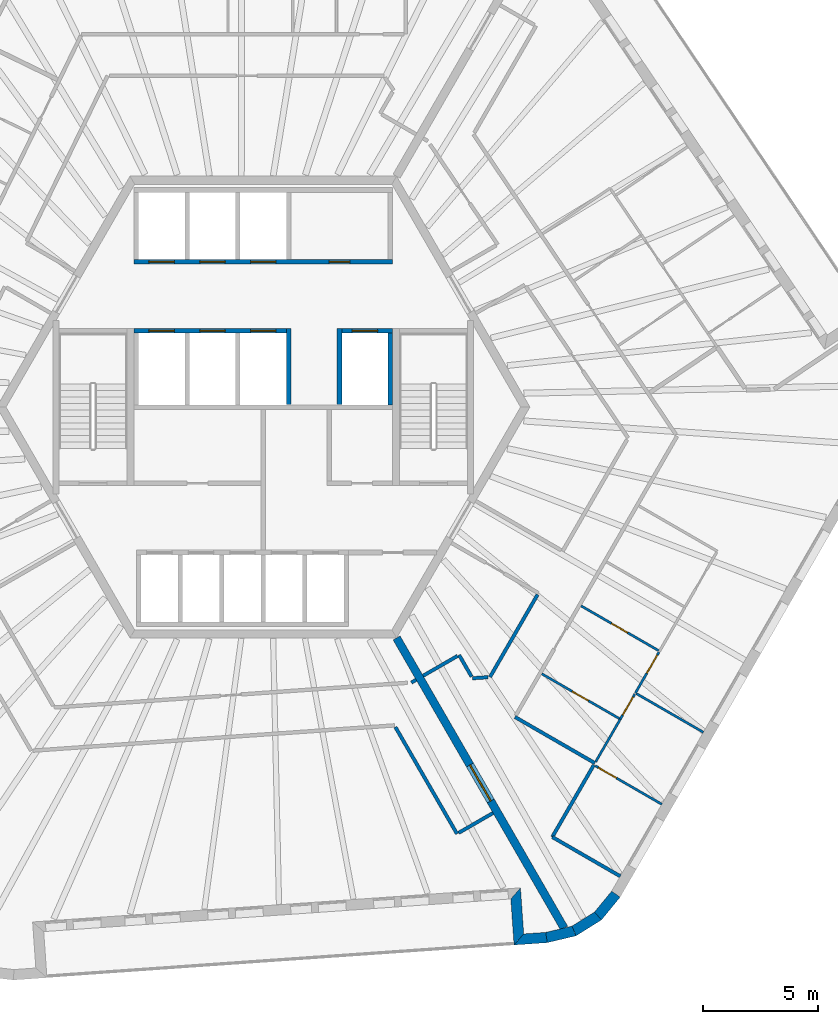
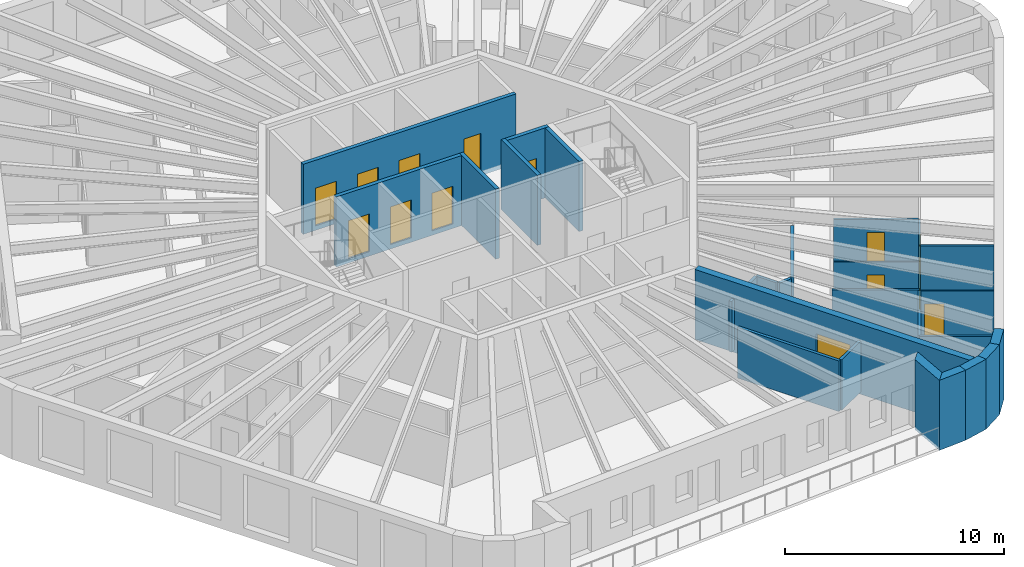
# One storey, part 5 of 11: 29 walls, 14 doors, 14 openings.
"""IFC4 building model written with IfcOpenShell, lengths in metres."""

from ifc_helpers import new_model, si_unit, direction, frame, frame_2d, origin, place, context, subcontext, project, spatial, polyline, rectangle, outline, extrude, material, layer, layer_set, type_object, element, fill, save


model = new_model("IFC4")

# Units and contexts
model_context = context("Model", 3, precision=1e-05, world=origin(), true_north=direction((0.0, 1.0)))
body_context = subcontext(model_context, "Body", "Model", "MODEL_VIEW")
ifc_project = project(units=[si_unit("LENGTHUNIT", "METRE"), si_unit("AREAUNIT", "SQUARE_METRE"), si_unit("VOLUMEUNIT", "CUBIC_METRE"), si_unit("PLANEANGLEUNIT", "RADIAN"), si_unit("MASSUNIT", "GRAM", prefix="KILO")], contexts=[model_context])

# Site, building, storey
site_placement = place(None, origin())
site = spatial("IfcSite", under=ifc_project, at=site_placement, CompositionType="ELEMENT")
building_placement = place(site_placement, origin())
building = spatial("IfcBuilding", under=site, at=building_placement, Name="Tarnside Tower", CompositionType="ELEMENT")
storey_placement = place(building_placement, frame((0.0, 0.0, 353.39990234375)))
storey = spatial("IfcBuildingStorey", under=building, at=storey_placement, Name="L85", CompositionType="ELEMENT", Elevation=353.39990234375)

# Wall, opening, door
ifc_material_1 = material(Name="Gypsum board partition on steel studs", Category="steel")
ifc_layer_1 = layer(ifc_material_1, 0.10009765625)
ifc_layer_set_1 = layer_set([ifc_layer_1], Name="Bathroom wall 100")
wall_type_1 = type_object("IfcWallType", Name="Bathroom wall 100", PredefinedType="PARTITIONING", material=ifc_layer_set_1)
wall_1_placement = place(storey_placement, frame((12.06396484375, -11.5546875, 0.0), z_axis=(0.0, 0.0, 1.0), x_axis=(0.866037464623, -0.499979109433, 0.0)))
wall_1 = element("IfcWall", 1, at=wall_1_placement, inside=storey, type_object=wall_type_1, Name="Bathroom wall 27113", PredefinedType="PARTITIONING", context=body_context, shape_type="SweptSolid", body=[
    extrude(rectangle(XDim=3.925048828125, YDim=0.10009765625, at=frame_2d((1.96240234375, 0.0))), origin(), (0.0, 0.0, 1.0), 2.820068359375),
])
opening_1_placement = place(wall_1_placement, frame((1.52490234375, 0.0, 0.0)))
opening_1 = element("IfcOpeningElement", 2, at=opening_1_placement, cuts=wall_1, Name="Opening D-B1", PredefinedType="OPENING", context=body_context, shape_type="SweptSolid", body=[
    extrude(rectangle(XDim=0.800048828125, YDim=2.10009765625, at=frame_2d((0.39990234375, 1.050048828125))), frame((0.0, 0.06005859375, 0.0), z_axis=(0.0, -1.0, 0.0), x_axis=(1.0, 0.0, 0.0)), (0.0, 0.0, 1.0), 0.1201171875),
])
ifc_material_2 = material(Name="Timber door leaf", Category="wood")
door_type_1 = type_object("IfcDoorType", Name="Bathroom door 800", OperationType="NOTDEFINED", PredefinedType="DOOR", material=ifc_material_2)
door_1_placement = place(opening_1_placement, origin())
door_1 = element("IfcDoor", 3, at=door_1_placement, inside=storey, type_object=door_type_1, Name="Bathroom door 27036", OperationType="SINGLE_SWING_RIGHT", OverallHeight=2.10009765625, OverallWidth=0.800048828125, PredefinedType="DOOR", context=body_context, shape_type="SweptSolid", body=[
    extrude(rectangle(XDim=0.800048828125, YDim=2.10009765625, at=frame_2d((0.39990234375, 1.050048828125))), frame((0.0, 0.02490234375, 0.0), z_axis=(0.0, -1.0, 0.0), x_axis=(1.0, 0.0, 0.0)), (0.0, 0.0, 1.0), 0.050048828125),
])
fill(opening_1, door_1)

wall_2_placement = place(storey_placement, frame((17.119873046875, -10.547607421875, 0.0), z_axis=(0.0, 0.0, 1.0), x_axis=(-0.866032409438, 0.499987865656, 0.0)))
wall_2 = element("IfcWall", 4, at=wall_2_placement, inside=storey, type_object=wall_type_1, Name="Bathroom wall 27115", PredefinedType="PARTITIONING", context=body_context, shape_type="SweptSolid", body=[
    extrude(rectangle(XDim=3.875, YDim=0.10009765625, at=frame_2d((1.9375, 0.0))), origin(), (0.0, 0.0, 1.0), 2.820068359375),
])
opening_2_placement = place(wall_2_placement, frame((1.550048828125, 0.0, 0.0)))
opening_2 = element("IfcOpeningElement", 5, at=opening_2_placement, cuts=wall_2, Name="Opening D-B1", PredefinedType="OPENING", context=body_context, shape_type="SweptSolid", body=[
    extrude(rectangle(XDim=0.800048828125, YDim=2.10009765625, at=frame_2d((0.39990234375, 1.050048828125))), frame((0.0, 0.06005859375, 0.0), z_axis=(0.0, -1.0, 0.0), x_axis=(1.0, 0.0, 0.0)), (0.0, 0.0, 1.0), 0.1201171875),
])
door_2_placement = place(opening_2_placement, origin())
door_2 = element("IfcDoor", 6, at=door_2_placement, inside=storey, type_object=door_type_1, Name="Bathroom door 27042", OperationType="SINGLE_SWING_LEFT", OverallHeight=2.10009765625, OverallWidth=0.800048828125, PredefinedType="DOOR", context=body_context, shape_type="SweptSolid", body=[
    extrude(rectangle(XDim=0.800048828125, YDim=2.10009765625, at=frame_2d((0.39990234375, 1.050048828125))), frame((0.0, 0.02490234375, 0.0), z_axis=(0.0, -1.0, 0.0), x_axis=(1.0, 0.0, 0.0)), (0.0, 0.0, 1.0), 0.050048828125),
])
fill(opening_2, door_2)

# Wall
wall_3_placement = place(storey_placement, frame((14.399658203125, -15.359130859375, 0.0), z_axis=(0.0, 0.0, 1.0), x_axis=(0.499987164874, 0.866032814021, 0.0)))
element("IfcWall", 7, at=wall_3_placement, inside=storey, type_object=wall_type_1, Name="Bathroom wall 27116", PredefinedType="PARTITIONING", context=body_context, shape_type="SweptSolid", body=[
    extrude(rectangle(XDim=2.12890625, YDim=0.10009765625, at=frame_2d((1.064453125, 0.0))), origin(), (0.0, 0.0, 1.0), 2.820068359375),
])

# Wall, opening, door
ifc_material_3 = material(Name="Concrete C50/60", Category="concrete")
ifc_layer_2 = layer(ifc_material_3, 0.35009765625)
ifc_layer_set_2 = layer_set([ifc_layer_2], Name="Core wall Z4 350 C50/60")
wall_type_2 = type_object("IfcWallType", Name="Core wall Z4 350 C50/60", PredefinedType="SHEAR", material=ifc_layer_set_2)
wall_4_placement = place(storey_placement, frame((5.7734375, -10.0, -0.14990234375), z_axis=(0.0, 0.0, 1.0), x_axis=(0.500007911273, -0.866020836161, 0.0)))
wall_4 = element("IfcWall", 8, at=wall_4_placement, inside=storey, type_object=wall_type_2, Name="L85 spine wall 3", PredefinedType="SHEAR", context=body_context, shape_type="SweptSolid", body=[
    extrude(rectangle(XDim=14.510498046875, YDim=0.35009765625, at=frame_2d((7.25537109375, 0.0))), origin(), (0.0, 0.0, 1.0), 3.89990234375),
])
opening_3_placement = place(wall_4_placement, frame((6.355224609375, 0.0, 0.14990234375)))
opening_3 = element("IfcOpeningElement", 9, at=opening_3_placement, cuts=wall_4, Name="Opening CD-SPN", PredefinedType="OPENING", context=body_context, shape_type="SweptSolid", body=[
    extrude(rectangle(XDim=1.800048828125, YDim=2.39990234375, at=frame_2d((0.89990234375, 1.199951171875))), frame((0.0, 0.18505859375, 0.0), z_axis=(0.0, -1.0, 0.0), x_axis=(1.0, 0.0, 0.0)), (0.0, 0.0, 1.0), 0.3701171875),
])
ifc_material_4 = material(Name="Steel fire door", Category="steel")
door_type_2 = type_object("IfcDoorType", Name="Spine passage double door FD60 1800x2400", OperationType="NOTDEFINED", PredefinedType="DOOR", material=ifc_material_4)
door_3_placement = place(opening_3_placement, origin())
door_3 = element("IfcDoor", 10, at=door_3_placement, inside=storey, type_object=door_type_2, Name="L85 spine passage door 3", OperationType="DOUBLE_DOOR_SINGLE_SWING", OverallHeight=2.39990234375, OverallWidth=1.800048828125, PredefinedType="DOOR", context=body_context, shape_type="SweptSolid", body=[
    extrude(rectangle(XDim=1.800048828125, YDim=2.39990234375, at=frame_2d((0.89990234375, 1.199951171875))), frame((0.0, 0.02490234375, 0.0), z_axis=(0.0, -1.0, 0.0), x_axis=(1.0, 0.0, 0.0)), (0.0, 0.0, 1.0), 0.050048828125),
])
fill(opening_3, door_3)

# Walls
ifc_layer_3 = layer(ifc_material_1, 0.14990234375)
ifc_layer_set_3 = layer_set([ifc_layer_3], Name="Corridor wall 150 EI 60")
wall_type_3 = type_object("IfcWallType", Name="Corridor wall 150 EI 60", PredefinedType="PARTITIONING", material=ifc_layer_set_3)
wall_5_placement = place(storey_placement, frame((5.721435546875, -13.859619140625, 0.0), z_axis=(0.0, 0.0, 1.0), x_axis=(0.499970524249, -0.866042420948, 0.0)))
element("IfcWall", 11, at=wall_5_placement, inside=storey, type_object=wall_type_3, Name="Corridor wall 27026", PredefinedType="PARTITIONING", context=body_context, shape_type="SweptSolid", body=[
    extrude(rectangle(XDim=5.338623046875, YDim=0.14990234375, at=frame_2d((2.66943359375, 0.0))), origin(), (0.0, 0.0, 1.0), 2.820068359375),
])
wall_6_placement = place(storey_placement, frame((8.455810546875, -18.44580078125, 0.0), z_axis=(0.0, 0.0, 1.0), x_axis=(0.866013532718, 0.500020560727, 0.0)))
element("IfcWall", 12, at=wall_6_placement, inside=storey, type_object=wall_type_3, Name="Corridor wall 27027", PredefinedType="PARTITIONING", context=body_context, shape_type="SweptSolid", body=[
    extrude(rectangle(XDim=1.72509765625, YDim=0.14990234375, at=frame_2d((0.862548828125, 0.0))), origin(), (0.0, 0.0, 1.0), 2.820068359375),
])
wall_7_placement = place(storey_placement, frame((6.61865234375, -11.81396484375, 0.0), z_axis=(0.0, 0.0, 1.0), x_axis=(-0.865544827262, -0.500831460673, 0.0)))
element("IfcWall", 13, at=wall_7_placement, inside=storey, type_object=wall_type_3, Name="Corridor wall 27039", PredefinedType="PARTITIONING", context=body_context, shape_type="SweptSolid", body=[
    extrude(rectangle(XDim=0.23486328125, YDim=0.14990234375, at=frame_2d((0.117431640625, 0.0))), origin(), (0.0, 0.0, 1.0), 2.820068359375),
])
wall_8_placement = place(storey_placement, frame((14.363037109375, -15.42236328125, 0.0), z_axis=(0.0, 0.0, 1.0), x_axis=(-0.866026010844, 0.49999894854, 0.0)))
element("IfcWall", 14, at=wall_8_placement, inside=storey, type_object=wall_type_3, Name="Corridor wall 27046", PredefinedType="PARTITIONING", context=body_context, shape_type="SweptSolid", body=[
    extrude(rectangle(XDim=4.0, YDim=0.14990234375, at=frame_2d((2.0, 0.0))), origin(), (0.0, 0.0, 1.0), 2.820068359375),
])
wall_9_placement = place(storey_placement, frame((12.516845703125, -18.6201171875, 0.0), z_axis=(0.0, 0.0, 1.0), x_axis=(0.500006299954, 0.866021766474, 0.0)))
element("IfcWall", 15, at=wall_9_placement, inside=storey, type_object=wall_type_3, Name="Corridor wall 27048", PredefinedType="PARTITIONING", context=body_context, shape_type="SweptSolid", body=[
    extrude(rectangle(XDim=3.5986328125, YDim=0.14990234375, at=frame_2d((1.79931640625, 0.0))), origin(), (0.0, 0.0, 1.0), 2.820068359375),
])
wall_10_placement = place(storey_placement, frame((15.460693359375, -20.3212890625, 0.0), z_axis=(0.0, 0.0, 1.0), x_axis=(-0.866010935101, 0.500025059658, 0.0)))
element("IfcWall", 16, at=wall_10_placement, inside=storey, type_object=wall_type_3, Name="Corridor wall 27049", PredefinedType="PARTITIONING", context=body_context, shape_type="SweptSolid", body=[
    extrude(rectangle(XDim=3.398681640625, YDim=0.14990234375, at=frame_2d((1.69921875, 0.0))), origin(), (0.0, 0.0, 1.0), 2.820068359375),
])
wall_11_placement = place(storey_placement, frame((11.87939453125, -8.124267578125, 0.0), z_axis=(0.0, 0.0, 1.0), x_axis=(-0.500006178143, -0.866021836803, 0.0)))
element("IfcWall", 17, at=wall_11_placement, inside=storey, type_object=wall_type_3, Name="Corridor wall 27063", PredefinedType="PARTITIONING", context=body_context, shape_type="SweptSolid", body=[
    extrude(rectangle(XDim=4.12158203125, YDim=0.14990234375, at=frame_2d((2.060791015625, 0.0))), origin(), (0.0, 0.0, 1.0), 2.820068359375),
])
wall_12_placement = place(storey_placement, frame((9.728515625, -11.699951171875, 0.0), z_axis=(0.0, 0.0, 1.0), x_axis=(-0.997585124395, -0.069454442519, 0.0)))
element("IfcWall", 18, at=wall_12_placement, inside=storey, type_object=wall_type_3, Name="Corridor wall 27064", PredefinedType="PARTITIONING", context=body_context, shape_type="SweptSolid", body=[
    extrude(rectangle(XDim=0.66796875, YDim=0.14990234375, at=frame_2d((0.333984375, 0.0))), origin(), (0.0, 0.0, 1.0), 2.820068359375),
])
wall_13_placement = place(storey_placement, frame((9.020751953125, -11.674072265625, 0.0), z_axis=(0.0, 0.0, 1.0), x_axis=(-0.500126914667, 0.865952117167, 0.0)))
element("IfcWall", 19, at=wall_13_placement, inside=storey, type_object=wall_type_3, Name="Corridor wall 27065", PredefinedType="PARTITIONING", context=body_context, shape_type="SweptSolid", body=[
    extrude(rectangle(XDim=1.079833984375, YDim=0.14990234375, at=frame_2d((0.5400390625, 0.0))), origin(), (0.0, 0.0, 1.0), 2.820068359375),
])
wall_14_placement = place(storey_placement, frame((8.415771484375, -10.776611328125, 0.0), z_axis=(0.0, 0.0, 1.0), x_axis=(-0.866074815912, -0.499914405916, 0.0)))
element("IfcWall", 20, at=wall_14_placement, inside=storey, type_object=wall_type_3, Name="Corridor wall 27066", PredefinedType="PARTITIONING", context=body_context, shape_type="SweptSolid", body=[
    extrude(rectangle(XDim=1.724853515625, YDim=0.14990234375, at=frame_2d((0.8623046875, 0.0))), origin(), (0.0, 0.0, 1.0), 2.820068359375),
])

# Wall, openings, doors
ifc_material_5 = material(Name="Concrete C40/50", Category="concrete")
ifc_layer_4 = layer(ifc_material_5, 0.199951171875)
ifc_layer_set_4 = layer_set([ifc_layer_4], Name="Lift shaft wall 200 C40/50")
wall_type_4 = type_object("IfcWallType", Name="Lift shaft wall 200 C40/50", PredefinedType="SHEAR", material=ifc_layer_set_4)
wall_15_placement = place(storey_placement, frame((-5.60009765625, 6.300048828125, -0.25), z_axis=(0.0, 0.0, 1.0), x_axis=(1.0, 0.0, 0.0)))
wall_15 = element("IfcWall", 21, at=wall_15_placement, inside=storey, type_object=wall_type_4, Name="L85 lift shaft front wall R1", PredefinedType="SHEAR", context=body_context, shape_type="SweptSolid", body=[
    extrude(rectangle(XDim=11.2001953125, YDim=0.199951171875, at=frame_2d((5.60009765625, 0.0))), origin(), (0.0, 0.0, 1.0), 3.900146484375),
])
opening_4_placement = place(wall_15_placement, frame((8.449951171875, 0.0, 0.25)))
opening_4 = element("IfcOpeningElement", 22, at=opening_4_placement, cuts=wall_15, Name="Opening CD-room", PredefinedType="OPENING", context=body_context, shape_type="SweptSolid", body=[
    extrude(rectangle(XDim=0.89990234375, YDim=2.10009765625, at=frame_2d((0.449951171875, 1.050048828125))), frame((0.0, 0.10986328125, 0.0), z_axis=(0.0, -1.0, 0.0), x_axis=(1.0, 0.0, 0.0)), (0.0, 0.0, 1.0), 0.219970703125),
])
opening_5_placement = place(wall_15_placement, frame((0.64990234375, 0.0, 0.25)))
opening_5 = element("IfcOpeningElement", 23, at=opening_5_placement, cuts=wall_15, Name="Opening LD", PredefinedType="OPENING", context=body_context, shape_type="SweptSolid", body=[
    extrude(rectangle(XDim=1.10009765625, YDim=2.10009765625, at=frame_2d((0.550048828125, 1.050048828125))), frame((0.0, 0.10986328125, 0.0), z_axis=(0.0, -1.0, 0.0), x_axis=(1.0, 0.0, 0.0)), (0.0, 0.0, 1.0), 0.219970703125),
])
opening_6_placement = place(wall_15_placement, frame((2.85009765625, 0.0, 0.25)))
opening_6 = element("IfcOpeningElement", 24, at=opening_6_placement, cuts=wall_15, Name="Opening LD", PredefinedType="OPENING", context=body_context, shape_type="SweptSolid", body=[
    extrude(rectangle(XDim=1.10009765625, YDim=2.10009765625, at=frame_2d((0.550048828125, 1.050048828125))), frame((0.0, 0.10986328125, 0.0), z_axis=(0.0, -1.0, 0.0), x_axis=(1.0, 0.0, 0.0)), (0.0, 0.0, 1.0), 0.219970703125),
])
opening_7_placement = place(wall_15_placement, frame((5.050048828125, 0.0, 0.25)))
opening_7 = element("IfcOpeningElement", 25, at=opening_7_placement, cuts=wall_15, Name="Opening LD", PredefinedType="OPENING", context=body_context, shape_type="SweptSolid", body=[
    extrude(rectangle(XDim=1.10009765625, YDim=2.10009765625, at=frame_2d((0.550048828125, 1.050048828125))), frame((0.0, 0.10986328125, 0.0), z_axis=(0.0, -1.0, 0.0), x_axis=(1.0, 0.0, 0.0)), (0.0, 0.0, 1.0), 0.219970703125),
])
ifc_material_6 = material(Name="Stainless steel", Category="steel")
door_type_3 = type_object("IfcDoorType", Name="Lift landing door 1100x2100", OperationType="NOTDEFINED", PredefinedType="DOOR", material=ifc_material_6)
door_4_placement = place(opening_5_placement, origin())
door_4 = element("IfcDoor", 26, at=door_4_placement, inside=storey, type_object=door_type_3, Name="High-rise lift 1 landing door L85", OperationType="SLIDING_TO_LEFT", OverallHeight=2.10009765625, OverallWidth=1.10009765625, PredefinedType="DOOR", context=body_context, shape_type="SweptSolid", body=[
    extrude(rectangle(XDim=1.10009765625, YDim=2.10009765625, at=frame_2d((0.550048828125, 1.050048828125))), frame((0.0, 0.02490234375, 0.0), z_axis=(0.0, -1.0, 0.0), x_axis=(1.0, 0.0, 0.0)), (0.0, 0.0, 1.0), 0.050048828125),
])
fill(opening_5, door_4)
door_5_placement = place(opening_6_placement, origin())
door_5 = element("IfcDoor", 27, at=door_5_placement, inside=storey, type_object=door_type_3, Name="High-rise lift 2 landing door L85", OperationType="SLIDING_TO_LEFT", OverallHeight=2.10009765625, OverallWidth=1.10009765625, PredefinedType="DOOR", context=body_context, shape_type="SweptSolid", body=[
    extrude(rectangle(XDim=1.10009765625, YDim=2.10009765625, at=frame_2d((0.550048828125, 1.050048828125))), frame((0.0, 0.02490234375, 0.0), z_axis=(0.0, -1.0, 0.0), x_axis=(1.0, 0.0, 0.0)), (0.0, 0.0, 1.0), 0.050048828125),
])
fill(opening_6, door_5)
door_6_placement = place(opening_7_placement, origin())
door_6 = element("IfcDoor", 28, at=door_6_placement, inside=storey, type_object=door_type_3, Name="High-rise lift 3 landing door L85", OperationType="SLIDING_TO_LEFT", OverallHeight=2.10009765625, OverallWidth=1.10009765625, PredefinedType="DOOR", context=body_context, shape_type="SweptSolid", body=[
    extrude(rectangle(XDim=1.10009765625, YDim=2.10009765625, at=frame_2d((0.550048828125, 1.050048828125))), frame((0.0, 0.02490234375, 0.0), z_axis=(0.0, -1.0, 0.0), x_axis=(1.0, 0.0, 0.0)), (0.0, 0.0, 1.0), 0.050048828125),
])
fill(opening_7, door_6)
door_type_4 = type_object("IfcDoorType", Name="Room door FD60 900x2100", OperationType="NOTDEFINED", PredefinedType="DOOR", material=ifc_material_4)
door_7_placement = place(opening_4_placement, origin())
door_7 = element("IfcDoor", 29, at=door_7_placement, inside=storey, type_object=door_type_4, Name="L85 core room door FC1", OperationType="SINGLE_SWING_LEFT", OverallHeight=2.10009765625, OverallWidth=0.89990234375, PredefinedType="DOOR", context=body_context, shape_type="SweptSolid", body=[
    extrude(rectangle(XDim=0.89990234375, YDim=2.10009765625, at=frame_2d((0.449951171875, 1.050048828125))), frame((0.0, 0.02490234375, 0.0), z_axis=(0.0, -1.0, 0.0), x_axis=(1.0, 0.0, 0.0)), (0.0, 0.0, 1.0), 0.050048828125),
])
fill(opening_4, door_7)

wall_16_placement = place(storey_placement, frame((-5.60009765625, 3.300048828125, -0.25), z_axis=(0.0, 0.0, 1.0), x_axis=(1.0, 0.0, 0.0)))
wall_16 = element("IfcWall", 30, at=wall_16_placement, inside=storey, type_object=wall_type_4, Name="L85 lift shaft front wall R2", PredefinedType="SHEAR", context=body_context, shape_type="SweptSolid", body=[
    extrude(rectangle(XDim=6.60009765625, YDim=0.199951171875, at=frame_2d((3.300048828125, 0.0))), origin(), (0.0, 0.0, 1.0), 3.900146484375),
])
opening_8_placement = place(wall_16_placement, frame((0.64990234375, 0.0, 0.25)))
opening_8 = element("IfcOpeningElement", 31, at=opening_8_placement, cuts=wall_16, Name="Opening LD", PredefinedType="OPENING", context=body_context, shape_type="SweptSolid", body=[
    extrude(rectangle(XDim=1.10009765625, YDim=2.10009765625, at=frame_2d((0.550048828125, 1.050048828125))), frame((0.0, 0.10986328125, 0.0), z_axis=(0.0, -1.0, 0.0), x_axis=(1.0, 0.0, 0.0)), (0.0, 0.0, 1.0), 0.219970703125),
])
opening_9_placement = place(wall_16_placement, frame((2.85009765625, 0.0, 0.25)))
opening_9 = element("IfcOpeningElement", 32, at=opening_9_placement, cuts=wall_16, Name="Opening LD", PredefinedType="OPENING", context=body_context, shape_type="SweptSolid", body=[
    extrude(rectangle(XDim=1.10009765625, YDim=2.10009765625, at=frame_2d((0.550048828125, 1.050048828125))), frame((0.0, 0.10986328125, 0.0), z_axis=(0.0, -1.0, 0.0), x_axis=(1.0, 0.0, 0.0)), (0.0, 0.0, 1.0), 0.219970703125),
])
opening_10_placement = place(wall_16_placement, frame((5.050048828125, 0.0, 0.25)))
opening_10 = element("IfcOpeningElement", 33, at=opening_10_placement, cuts=wall_16, Name="Opening LD", PredefinedType="OPENING", context=body_context, shape_type="SweptSolid", body=[
    extrude(rectangle(XDim=1.10009765625, YDim=2.10009765625, at=frame_2d((0.550048828125, 1.050048828125))), frame((0.0, 0.10986328125, 0.0), z_axis=(0.0, -1.0, 0.0), x_axis=(1.0, 0.0, 0.0)), (0.0, 0.0, 1.0), 0.219970703125),
])
door_8_placement = place(opening_8_placement, origin())
door_8 = element("IfcDoor", 34, at=door_8_placement, inside=storey, type_object=door_type_3, Name="High-rise lift 4 landing door L85", OperationType="SLIDING_TO_LEFT", OverallHeight=2.10009765625, OverallWidth=1.10009765625, PredefinedType="DOOR", context=body_context, shape_type="SweptSolid", body=[
    extrude(rectangle(XDim=1.10009765625, YDim=2.10009765625, at=frame_2d((0.550048828125, 1.050048828125))), frame((0.0, 0.02490234375, 0.0), z_axis=(0.0, -1.0, 0.0), x_axis=(1.0, 0.0, 0.0)), (0.0, 0.0, 1.0), 0.050048828125),
])
fill(opening_8, door_8)
door_9_placement = place(opening_9_placement, origin())
door_9 = element("IfcDoor", 35, at=door_9_placement, inside=storey, type_object=door_type_3, Name="High-rise lift 5 landing door L85", OperationType="SLIDING_TO_LEFT", OverallHeight=2.10009765625, OverallWidth=1.10009765625, PredefinedType="DOOR", context=body_context, shape_type="SweptSolid", body=[
    extrude(rectangle(XDim=1.10009765625, YDim=2.10009765625, at=frame_2d((0.550048828125, 1.050048828125))), frame((0.0, 0.02490234375, 0.0), z_axis=(0.0, -1.0, 0.0), x_axis=(1.0, 0.0, 0.0)), (0.0, 0.0, 1.0), 0.050048828125),
])
fill(opening_9, door_9)
door_10_placement = place(opening_10_placement, origin())
door_10 = element("IfcDoor", 36, at=door_10_placement, inside=storey, type_object=door_type_3, Name="High-rise lift 6 landing door L85", OperationType="SLIDING_TO_LEFT", OverallHeight=2.10009765625, OverallWidth=1.10009765625, PredefinedType="DOOR", context=body_context, shape_type="SweptSolid", body=[
    extrude(rectangle(XDim=1.10009765625, YDim=2.10009765625, at=frame_2d((0.550048828125, 1.050048828125))), frame((0.0, 0.02490234375, 0.0), z_axis=(0.0, -1.0, 0.0), x_axis=(1.0, 0.0, 0.0)), (0.0, 0.0, 1.0), 0.050048828125),
])
fill(opening_10, door_10)

# Wall, opening, door
wall_17_placement = place(storey_placement, frame((3.39990234375, 3.300048828125, -0.25), z_axis=(0.0, 0.0, 1.0), x_axis=(1.0, 0.0, 0.0)))
wall_17 = element("IfcWall", 37, at=wall_17_placement, inside=storey, type_object=wall_type_4, Name="L85 lift shaft front wall R2 2", PredefinedType="SHEAR", context=body_context, shape_type="SweptSolid", body=[
    extrude(rectangle(XDim=2.2001953125, YDim=0.199951171875, at=frame_2d((1.10009765625, 0.0))), origin(), (0.0, 0.0, 1.0), 3.900146484375),
])
opening_11_placement = place(wall_17_placement, frame((0.449951171875, 0.0, 0.25)))
opening_11 = element("IfcOpeningElement", 38, at=opening_11_placement, cuts=wall_17, Name="Opening LD", PredefinedType="OPENING", context=body_context, shape_type="SweptSolid", body=[
    extrude(rectangle(XDim=1.10009765625, YDim=2.10009765625, at=frame_2d((0.550048828125, 1.050048828125))), frame((0.0, 0.10986328125, 0.0), z_axis=(0.0, -1.0, 0.0), x_axis=(1.0, 0.0, 0.0)), (0.0, 0.0, 1.0), 0.219970703125),
])
door_11_placement = place(opening_11_placement, origin())
door_11 = element("IfcDoor", 39, at=door_11_placement, inside=storey, type_object=door_type_3, Name="Express sky-lobby shuttle 2 landing door L85", OperationType="SLIDING_TO_LEFT", OverallHeight=2.10009765625, OverallWidth=1.10009765625, PredefinedType="DOOR", context=body_context, shape_type="SweptSolid", body=[
    extrude(rectangle(XDim=1.10009765625, YDim=2.10009765625, at=frame_2d((0.550048828125, 1.050048828125))), frame((0.0, 0.02490234375, 0.0), z_axis=(0.0, -1.0, 0.0), x_axis=(1.0, 0.0, 0.0)), (0.0, 0.0, 1.0), 0.050048828125),
])
fill(opening_11, door_11)

# Walls
for number, where, z_axis, x_axis, name in (
    (40, (1.10009765625, 0.10009765625, -0.25), (0.0, 0.0, 1.0), (0.0, 1.0, 0.0), "L85 lift shaft partition R24"),
    (41, (3.300048828125, 0.10009765625, -0.25), (0.0, 0.0, 1.0), (0.0, 1.0, 0.0), "L85 lift shaft partition R25"),
):
    element("IfcWall", number, at=place(storey_placement, frame(where, z_axis=z_axis, x_axis=x_axis)), inside=storey, type_object=wall_type_4, Name=name, PredefinedType="SHEAR", context=body_context, shape_type="SweptSolid", body=[
        extrude(rectangle(XDim=3.2998046875, YDim=0.199951171875, at=frame_2d((1.64990234375, 0.0))), origin(), (0.0, 0.0, 1.0), 3.900146484375),
    ])
wall_18_placement = place(storey_placement, frame((5.5, 0.10009765625, -0.25), z_axis=(0.0, 0.0, 1.0), x_axis=(0.0, 1.0, 0.0)))
element("IfcWall", 42, at=wall_18_placement, inside=storey, type_object=wall_type_4, Name="L85 lift shaft partition R26", PredefinedType="SHEAR", context=body_context, shape_type="SweptSolid", body=[
    extrude(rectangle(XDim=3.099853515625, YDim=0.199951171875, at=frame_2d((1.5498046875, 0.0))), origin(), (0.0, 0.0, 1.0), 3.900146484375),
])
ifc_material_7 = material(Name="Dark zinc cladding")
ifc_layer_5 = layer(ifc_material_7, 0.10205078125)
ifc_material_8 = material(Name="Concrete C60/75 precast", Category="concrete")
ifc_layer_6 = layer(ifc_material_8, 0.248046875)
ifc_material_9 = material(Name="Mineral wool insulation")
ifc_layer_7 = layer(ifc_material_9, 0.10009765625)
ifc_layer_set_5 = layer_set([ifc_layer_5, ifc_layer_6, ifc_layer_7], Name="Loggia wall 450 zinc faced")
wall_type_5 = type_object("IfcWallType", Name="Loggia wall 450 zinc faced", PredefinedType="SOLIDWALL", material=ifc_layer_set_5)
wall_19_placement = place(storey_placement, frame((10.93017578125, -21.06396484375, -0.14990234375), z_axis=(0.0, 0.0, 1.0), x_axis=(0.069702791886, -0.99756780261, 0.0)))
element("IfcWall", 43, at=wall_19_placement, inside=storey, type_object=wall_type_5, Name="Tube wall L85 F4 return 19", PredefinedType="SOLIDWALL", context=body_context, shape_type="SweptSolid", body=[
    extrude(outline(polyline([(0.224853515625, -0.22509765625), (2.22509765625, -0.22509765625), (1.77490234375, 0.22509765625), (-0.224853515625, 0.22509765625), (0.224853515625, -0.22509765625)])), origin(), (0.0, 0.0, 1.0), 3.89990234375),
])
wall_20_placement = place(storey_placement, frame((11.069580078125, -23.05908203125, -0.14990234375), z_axis=(0.0, 0.0, 1.0), x_axis=(0.997562933087, 0.069772448216, 0.0)))
element("IfcWall", 44, at=wall_20_placement, inside=storey, type_object=wall_type_5, Name="Tube wall L85 F4 stub 20", PredefinedType="SOLIDWALL", context=body_context, shape_type="SweptSolid", body=[
    extrude(outline(polyline([(-0.224853515625, -0.22509765625), (1.218505859375, -0.22509765625), (1.181884765625, 0.22509765625), (0.224853515625, 0.22509765625), (-0.224853515625, -0.22509765625)])), origin(), (0.0, 0.0, 1.0), 3.89990234375),
])

# Wall, opening, door
ifc_layer_8 = layer(ifc_material_1, 0.10009765625)
ifc_layer_set_6 = layer_set([ifc_layer_8], Name="Partition 100")
wall_type_6 = type_object("IfcWallType", Name="Partition 100", PredefinedType="PARTITIONING", material=ifc_layer_set_6)
wall_21_placement = place(storey_placement, frame((17.13818359375, -10.615966796875, 0.0), z_axis=(0.0, 0.0, 1.0), x_axis=(-0.500015134316, -0.866016665807, 0.0)))
wall_21 = element("IfcWall", 45, at=wall_21_placement, inside=storey, type_object=wall_type_6, Name="Partition wall 27104", PredefinedType="PARTITIONING", context=body_context, shape_type="SweptSolid", body=[
    extrude(rectangle(XDim=2.0458984375, YDim=0.10009765625, at=frame_2d((1.02294921875, 0.0))), origin(), (0.0, 0.0, 1.0), 2.820068359375),
])
opening_12_placement = place(wall_21_placement, frame((0.14990234375, 0.0, 0.0)))
opening_12 = element("IfcOpeningElement", 46, at=opening_12_placement, cuts=wall_21, Name="Opening D-I1", PredefinedType="OPENING", context=body_context, shape_type="SweptSolid", body=[
    extrude(rectangle(XDim=0.89990234375, YDim=2.10009765625, at=frame_2d((0.449951171875, 1.050048828125))), frame((0.0, 0.06005859375, 0.0), z_axis=(0.0, -1.0, 0.0), x_axis=(1.0, 0.0, 0.0)), (0.0, 0.0, 1.0), 0.1201171875),
])
door_type_5 = type_object("IfcDoorType", Name="Internal door 900", OperationType="NOTDEFINED", PredefinedType="DOOR", material=ifc_material_2)
door_12_placement = place(opening_12_placement, origin())
door_12 = element("IfcDoor", 47, at=door_12_placement, inside=storey, type_object=door_type_5, Name="Internal door 27037", OperationType="SINGLE_SWING_RIGHT", OverallHeight=2.10009765625, OverallWidth=0.89990234375, PredefinedType="DOOR", context=body_context, shape_type="SweptSolid", body=[
    extrude(rectangle(XDim=0.89990234375, YDim=2.10009765625, at=frame_2d((0.449951171875, 1.050048828125))), frame((0.0, 0.02490234375, 0.0), z_axis=(0.0, -1.0, 0.0), x_axis=(1.0, 0.0, 0.0)), (0.0, 0.0, 1.0), 0.050048828125),
])
fill(opening_12, door_12)

# Wall
wall_22_placement = place(storey_placement, frame((16.159423828125, -12.410888671875, 0.0), z_axis=(0.0, 0.0, 1.0), x_axis=(0.866032680314, -0.499987396469, 0.0)))
element("IfcWall", 48, at=wall_22_placement, inside=storey, type_object=wall_type_6, Name="Partition wall 27105", PredefinedType="PARTITIONING", context=body_context, shape_type="SweptSolid", body=[
    extrude(rectangle(XDim=3.35009765625, YDim=0.10009765625, at=frame_2d((1.675048828125, 0.0))), origin(), (0.0, 0.0, 1.0), 2.820068359375),
])

# Wall, opening, door
wall_23_placement = place(storey_placement, frame((15.462158203125, -13.518798828125, 0.0), z_axis=(0.0, 0.0, 1.0), x_axis=(0.50004158446, 0.866001393654, 0.0)))
wall_23 = element("IfcWall", 49, at=wall_23_placement, inside=storey, type_object=wall_type_6, Name="Partition wall 27114", PredefinedType="PARTITIONING", context=body_context, shape_type="SweptSolid", body=[
    extrude(rectangle(XDim=1.25830078125, YDim=0.10009765625, at=frame_2d((0.629150390625, 0.0))), origin(), (0.0, 0.0, 1.0), 2.820068359375),
])
opening_13_placement = place(wall_23_placement, frame((0.205078125, 0.0, 0.0)))
opening_13 = element("IfcOpeningElement", 50, at=opening_13_placement, cuts=wall_23, Name="Opening D-I1", PredefinedType="OPENING", context=body_context, shape_type="SweptSolid", body=[
    extrude(rectangle(XDim=0.89990234375, YDim=2.10009765625, at=frame_2d((0.449951171875, 1.050048828125))), frame((0.0, 0.06005859375, 0.0), z_axis=(0.0, -1.0, 0.0), x_axis=(1.0, 0.0, 0.0)), (0.0, 0.0, 1.0), 0.1201171875),
])
door_13_placement = place(opening_13_placement, origin())
door_13 = element("IfcDoor", 51, at=door_13_placement, inside=storey, type_object=door_type_5, Name="Internal door 27041", OperationType="SINGLE_SWING_LEFT", OverallHeight=2.10009765625, OverallWidth=0.89990234375, PredefinedType="DOOR", context=body_context, shape_type="SweptSolid", body=[
    extrude(rectangle(XDim=0.89990234375, YDim=2.10009765625, at=frame_2d((0.449951171875, 1.050048828125))), frame((0.0, 0.02490234375, 0.0), z_axis=(0.0, -1.0, 0.0), x_axis=(1.0, 0.0, 0.0)), (0.0, 0.0, 1.0), 0.050048828125),
])
fill(opening_13, door_13)

wall_24_placement = place(storey_placement, frame((17.2607421875, -17.20361328125, 0.0), z_axis=(0.0, 0.0, 1.0), x_axis=(-0.866020521143, 0.500008456887, 0.0)))
wall_24 = element("IfcWall", 52, at=wall_24_placement, inside=storey, type_object=wall_type_6, Name="Partition wall 27117", PredefinedType="PARTITIONING", context=body_context, shape_type="SweptSolid", body=[
    extrude(rectangle(XDim=3.3251953125, YDim=0.10009765625, at=frame_2d((1.66259765625, 0.0))), origin(), (0.0, 0.0, 1.0), 2.820068359375),
])
opening_14_placement = place(wall_24_placement, frame((2.27490234375, 0.0, 0.0)))
opening_14 = element("IfcOpeningElement", 53, at=opening_14_placement, cuts=wall_24, Name="Opening D-I1", PredefinedType="OPENING", context=body_context, shape_type="SweptSolid", body=[
    extrude(rectangle(XDim=0.89990234375, YDim=2.10009765625, at=frame_2d((0.449951171875, 1.050048828125))), frame((0.0, 0.06005859375, 0.0), z_axis=(0.0, -1.0, 0.0), x_axis=(1.0, 0.0, 0.0)), (0.0, 0.0, 1.0), 0.1201171875),
])
door_14_placement = place(opening_14_placement, origin())
door_14 = element("IfcDoor", 54, at=door_14_placement, inside=storey, type_object=door_type_5, Name="Internal door 27040", OperationType="SINGLE_SWING_RIGHT", OverallHeight=2.10009765625, OverallWidth=0.89990234375, PredefinedType="DOOR", context=body_context, shape_type="SweptSolid", body=[
    extrude(rectangle(XDim=0.89990234375, YDim=2.10009765625, at=frame_2d((0.449951171875, 1.050048828125))), frame((0.0, 0.02490234375, 0.0), z_axis=(0.0, -1.0, 0.0), x_axis=(1.0, 0.0, 0.0)), (0.0, 0.0, 1.0), 0.050048828125),
])
fill(opening_14, door_14)

# Walls
ifc_material_10 = material(Name="Facing brick", Category="masonry")
ifc_layer_9 = layer(ifc_material_10, 0.10205078125)
ifc_layer_10 = layer(ifc_material_8, 0.248046875)
ifc_layer_11 = layer(ifc_material_9, 0.10009765625)
ifc_layer_set_7 = layer_set([ifc_layer_9, ifc_layer_10, ifc_layer_11], Name="Tube wall 450 brick faced")
wall_type_7 = type_object("IfcWallType", Name="Tube wall 450 brick faced", PredefinedType="SOLIDWALL", material=ifc_layer_set_7)
wall_25_placement = place(storey_placement, frame((12.266845703125, -22.975341796875, -0.14990234375), z_axis=(0.0, 0.0, 1.0), x_axis=(0.973026131006, 0.230694924913, 0.0)))
element("IfcWall", 55, at=wall_25_placement, inside=storey, type_object=wall_type_7, Name="Tube wall L85 F4 chord 21", PredefinedType="SOLIDWALL", context=body_context, shape_type="SweptSolid", body=[
    extrude(outline(polyline([(-0.018310546875, -0.22509765625), (1.26123046875, -0.22509765625), (1.1875, 0.22509765625), (0.018310546875, 0.22509765625), (-0.018310546875, -0.22509765625)])), origin(), (0.0, 0.0, 1.0), 3.89990234375),
])
wall_26_placement = place(storey_placement, frame((13.458251953125, -22.69287109375, -0.14990234375), z_axis=(0.0, 0.0, 1.0), x_axis=(0.848009505552, 0.529981017107, 0.0)))
element("IfcWall", 56, at=wall_26_placement, inside=storey, type_object=wall_type_7, Name="Tube wall L85 F4 chord 22", PredefinedType="SOLIDWALL", context=body_context, shape_type="SweptSolid", body=[
    extrude(outline(polyline([(-0.036865234375, -0.22509765625), (1.26123046875, -0.22509765625), (1.1875, 0.22509765625), (0.036865234375, 0.22509765625), (-0.036865234375, -0.22509765625)])), origin(), (0.0, 0.0, 1.0), 3.89990234375),
])
wall_27_placement = place(storey_placement, frame((14.49658203125, -22.0439453125, -0.14990234375), z_axis=(0.0, 0.0, 1.0), x_axis=(0.633867343651, 0.773441782329, 0.0)))
element("IfcWall", 57, at=wall_27_placement, inside=storey, type_object=wall_type_7, Name="Tube wall L85 F4 chord 23", PredefinedType="SOLIDWALL", context=body_context, shape_type="SweptSolid", body=[
    extrude(outline(polyline([(-0.036865234375, -0.22509765625), (1.24267578125, -0.22509765625), (1.2060546875, 0.22509765625), (0.036865234375, 0.22509765625), (-0.036865234375, -0.22509765625)])), origin(), (0.0, 0.0, 1.0), 3.89990234375),
])

save(model, "model.ifc")
